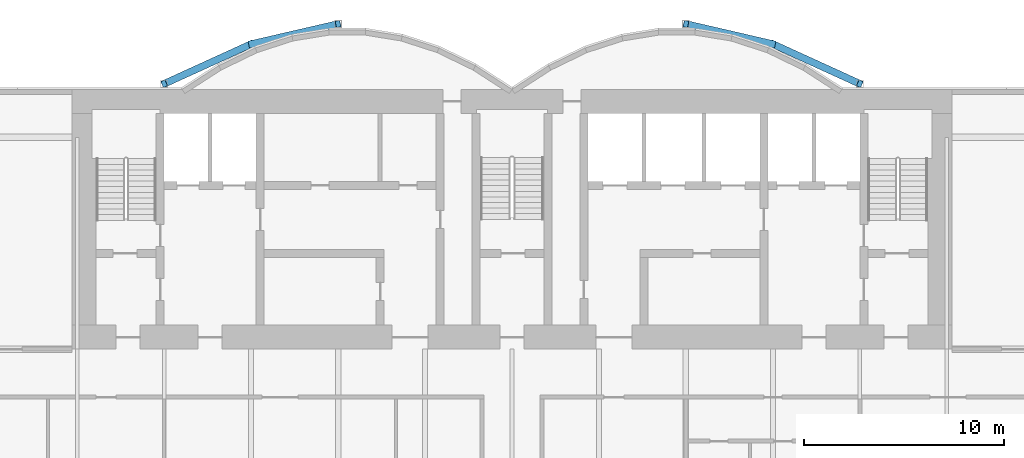
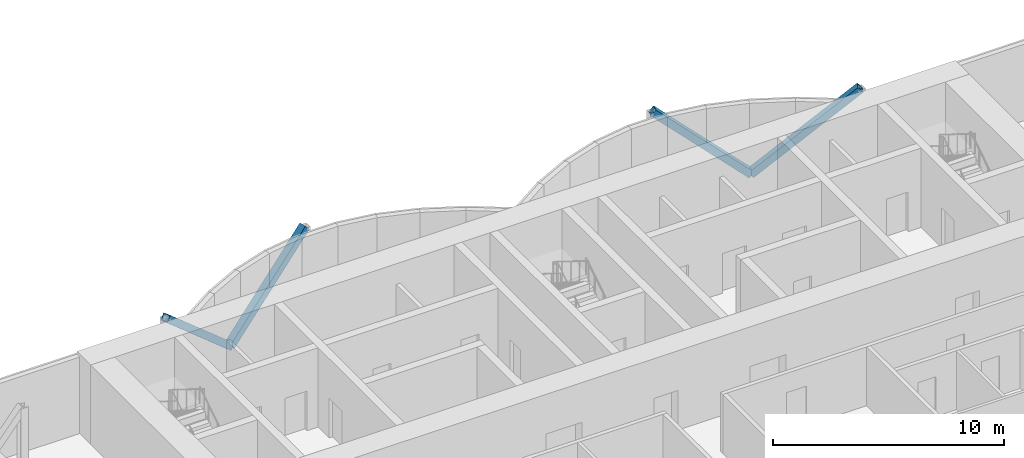
# One storey, part 10 of 19: 4 members.
"""IFC4 building model written with IfcOpenShell, lengths in metres."""

from ifc_helpers import new_model, si_unit, direction, frame, origin, origin_2d, place, context, subcontext, project, spatial, hollow_rectangle, extrude, material, material_profile, profile_set, type_object, element, save


model = new_model("IFC4")

# Units and contexts
model_context = context("Model", 3, precision=1e-05, world=origin(), true_north=direction((0.0, 1.0)))
body_context = subcontext(model_context, "Body", "Model", "MODEL_VIEW")
ifc_project = project(units=[si_unit("LENGTHUNIT", "METRE"), si_unit("AREAUNIT", "SQUARE_METRE"), si_unit("VOLUMEUNIT", "CUBIC_METRE"), si_unit("PLANEANGLEUNIT", "RADIAN"), si_unit("MASSUNIT", "GRAM", prefix="KILO")], contexts=[model_context])

# Site, building, storey
site_placement = place(None, origin())
site = spatial("IfcSite", under=ifc_project, at=site_placement, CompositionType="ELEMENT")
building_placement = place(site_placement, origin())
building = spatial("IfcBuilding", under=site, at=building_placement, Name="Bicima Exchange Tower", CompositionType="ELEMENT")
storey_placement = place(building_placement, frame((0.0, 0.0, 275.0)))
storey = spatial("IfcBuildingStorey", under=building, at=storey_placement, Name="L62", CompositionType="ELEMENT", Elevation=275.0)

# Members
ifc_material = material(Name="Steel ASTM A572 Gr 50", Category="steel")
ifc_material_profile = material_profile(ifc_material, hollow_rectangle(XDim=0.355712890625, YDim=0.355712890625, WallThickness=0.0146484375, at=origin_2d()))
ifc_profile_set = profile_set([ifc_material_profile], Name="Steel ASTM A572 Gr 50")
member_type = type_object("IfcMemberType", Name="Mega brace HSS14x14x5/8", PredefinedType="BRACE", material=ifc_profile_set)
member_1_placement = place(storey_placement, frame((-13.050048828125, 2.262451171875, 0.0), z_axis=(0.709647653042, 0.164209073605, 0.68515369712), x_axis=(-0.225438503722, 0.974257399787, 0.0)))
element("IfcMember", 1, at=member_1_placement, inside=storey, type_object=member_type, Name="Mega brace rexo", PredefinedType="BRACE", context=body_context, shape_type="SweptSolid", body=[
    extrude(hollow_rectangle(XDim=0.355712890625, YDim=0.355712890625, WallThickness=0.0146484375, at=origin_2d()), origin(), (0.0, 0.0, 1.0), 6.1298828125),
])
for number, where, z_axis, x_axis, name in (
    (2, (-13.050048828125, 2.262451171875, 0.0), (-0.683525692449, -0.311819993726, 0.659970392726), (0.415045223819, -0.909800781592, 0.0), "Mega brace rexo"),
    (3, (13.050048828125, 2.262451171875, 0.0), (0.683525692449, -0.311819993726, 0.659970392726), (0.415045223819, 0.909800781592, 0.0), "Mega brace rexo"),
):
    element("IfcMember", number, at=place(storey_placement, frame(where, z_axis=z_axis, x_axis=x_axis)), inside=storey, type_object=member_type, Name=name, PredefinedType="BRACE", context=body_context, shape_type="SweptSolid", body=[
        extrude(hollow_rectangle(XDim=0.355712890625, YDim=0.355712890625, WallThickness=0.0146484375, at=origin_2d()), origin(), (0.0, 0.0, 1.0), 6.36376953125),
    ])
member_2_placement = place(storey_placement, frame((13.050048828125, 2.262451171875, 0.0), z_axis=(-0.709647653042, 0.164209073605, 0.68515369712), x_axis=(-0.225438503722, -0.974257399787, 0.0)))
element("IfcMember", 4, at=member_2_placement, inside=storey, type_object=member_type, Name="Mega brace rexo", PredefinedType="BRACE", context=body_context, shape_type="SweptSolid", body=[
    extrude(hollow_rectangle(XDim=0.355712890625, YDim=0.355712890625, WallThickness=0.0146484375, at=origin_2d()), origin(), (0.0, 0.0, 1.0), 6.1298828125),
])

save(model, "model.ifc")
